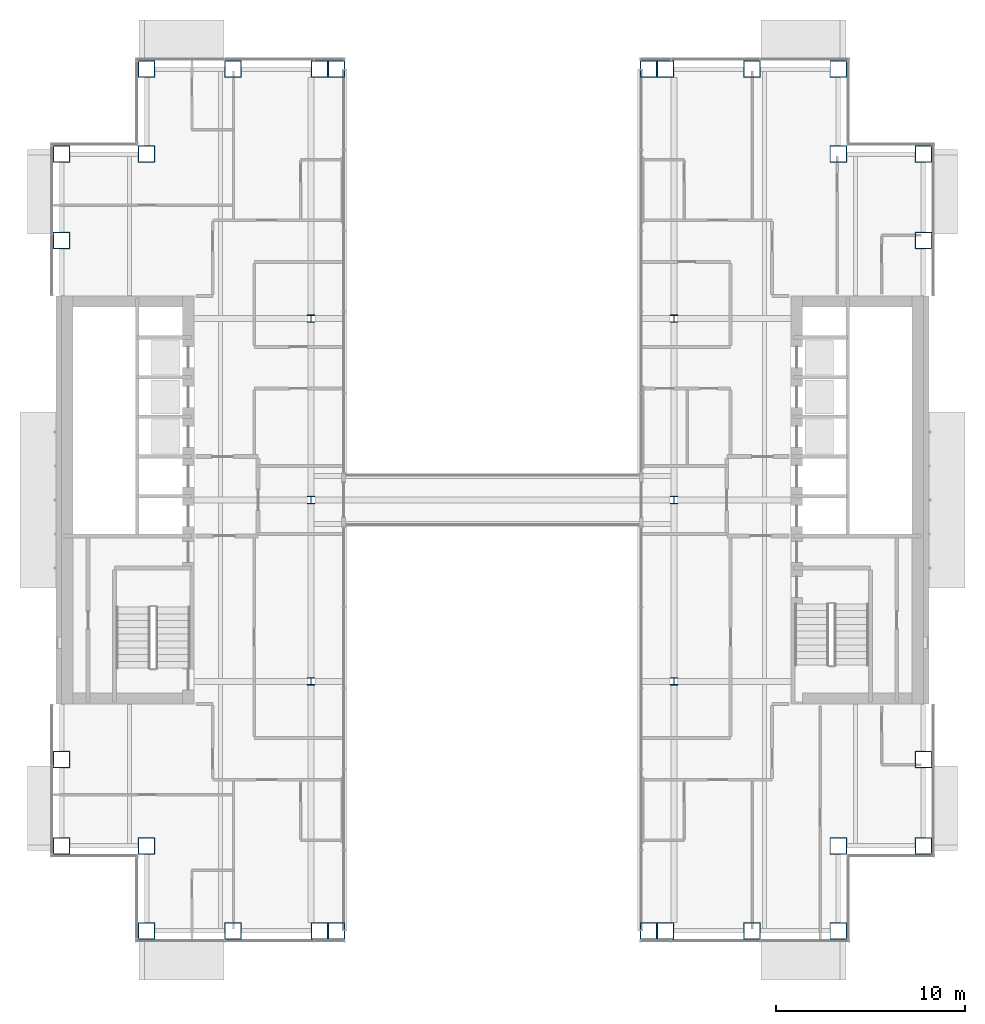
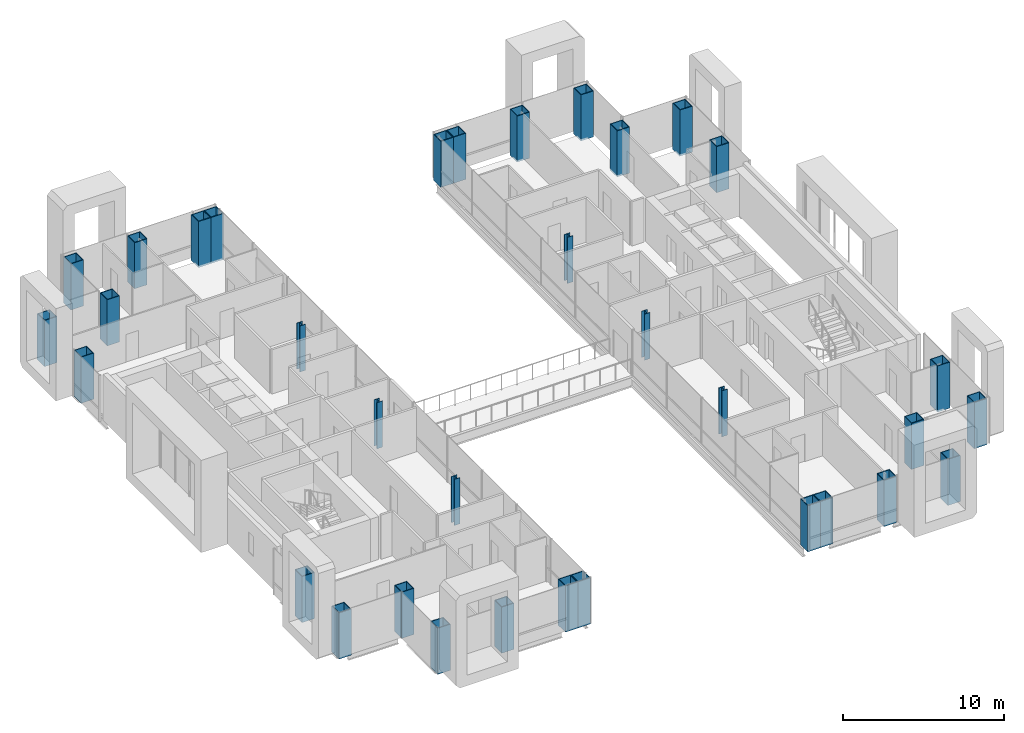
# One storey, part 1 of 20: 34 columns.
"""IFC4 building model written with IfcOpenShell, lengths in metres."""

from ifc_helpers import new_model, si_unit, direction, frame, origin, origin_2d, place, context, subcontext, project, spatial, hollow_rectangle, i_section, extrude, material, material_profile, profile_set, type_object, element, save


model = new_model("IFC4")

# Units and contexts
model_context = context("Model", 3, precision=1e-05, world=origin(), true_north=direction((0.0, 1.0)))
body_context = subcontext(model_context, "Body", "Model", "MODEL_VIEW")
ifc_project = project(units=[si_unit("LENGTHUNIT", "METRE"), si_unit("AREAUNIT", "SQUARE_METRE"), si_unit("VOLUMEUNIT", "CUBIC_METRE"), si_unit("PLANEANGLEUNIT", "RADIAN"), si_unit("MASSUNIT", "GRAM", prefix="KILO")], contexts=[model_context])

# Site, building, storey
site_placement = place(None, origin())
site = spatial("IfcSite", under=ifc_project, at=site_placement, CompositionType="ELEMENT")
building_placement = place(site_placement, origin())
building = spatial("IfcBuilding", under=site, at=building_placement, Name="Cobrizo Arcos Hotel Tower", CompositionType="ELEMENT")
storey_placement = place(building_placement, frame((0.0, 0.0, 124.0)))
storey = spatial("IfcBuildingStorey", under=building, at=storey_placement, Name="L31", CompositionType="ELEMENT", Elevation=124.0)

# Columns
ifc_material_1 = material(Name="Steel ASTM A572 Grade 50", Category="steel")
ifc_material_profile_1 = material_profile(ifc_material_1, hollow_rectangle(XDim=0.89990234375, YDim=0.89990234375, WallThickness=0.050048828125, at=origin_2d()), Name="BOX 900X900X50")
ifc_profile_set_1 = profile_set([ifc_material_profile_1], Name="Steel ASTM A572 Grade 50")
column_type_1 = type_object("IfcColumnType", Name="BOX 900X900X50 column", PredefinedType="COLUMN", material=ifc_profile_set_1)
for number, where, z_axis, x_axis, name in (
    (1, (-18.300048828125, 22.800048828125, -0.14990234375), (0.0, 0.0, 1.0), (1.0, 0.0, 0.0), "Perimeter column C6, L31, no. 00"),
    (2, (-18.300048828125, -22.800048828125, -0.14990234375), (0.0, 0.0, 1.0), (1.0, 0.0, 0.0), "Perimeter column C6, L31, no. 01"),
    (3, (-13.72509765625, 22.800048828125, -0.14990234375), (0.0, 0.0, 1.0), (1.0, 0.0, 0.0), "Perimeter column C6, L31, no. 02"),
    (4, (-13.72509765625, -22.800048828125, -0.14990234375), (0.0, 0.0, 1.0), (1.0, 0.0, 0.0), "Perimeter column C6, L31, no. 03"),
    (5, (-9.14990234375, 22.800048828125, -0.14990234375), (0.0, 0.0, 1.0), (1.0, 0.0, 0.0), "Perimeter column C6, L31, no. 04"),
    (6, (-9.14990234375, -22.800048828125, -0.14990234375), (0.0, 0.0, 1.0), (1.0, 0.0, 0.0), "Perimeter column C6, L31, no. 05"),
    (7, (9.14990234375, 22.800048828125, -0.14990234375), (0.0, 0.0, 1.0), (1.0, 0.0, 0.0), "Perimeter column C6, L31, no. 06"),
    (8, (9.14990234375, -22.800048828125, -0.14990234375), (0.0, 0.0, 1.0), (1.0, 0.0, 0.0), "Perimeter column C6, L31, no. 07"),
    (9, (13.72509765625, 22.800048828125, -0.14990234375), (0.0, 0.0, 1.0), (1.0, 0.0, 0.0), "Perimeter column C6, L31, no. 08"),
    (10, (13.72509765625, -22.800048828125, -0.14990234375), (0.0, 0.0, 1.0), (1.0, 0.0, 0.0), "Perimeter column C6, L31, no. 09"),
    (11, (18.300048828125, 22.800048828125, -0.14990234375), (0.0, 0.0, 1.0), (1.0, 0.0, 0.0), "Perimeter column C6, L31, no. 10"),
    (12, (18.300048828125, -22.800048828125, -0.14990234375), (0.0, 0.0, 1.0), (1.0, 0.0, 0.0), "Perimeter column C6, L31, no. 11"),
    (13, (22.800048828125, -18.300048828125, -0.14990234375), (0.0, 0.0, 1.0), (1.0, 0.0, 0.0), "Perimeter column C6, L31, no. 12"),
    (14, (-22.800048828125, -18.300048828125, -0.14990234375), (0.0, 0.0, 1.0), (1.0, 0.0, 0.0), "Perimeter column C6, L31, no. 13"),
    (15, (22.800048828125, -13.72509765625, -0.14990234375), (0.0, 0.0, 1.0), (1.0, 0.0, 0.0), "Perimeter column C6, L31, no. 14"),
    (16, (-22.800048828125, -13.72509765625, -0.14990234375), (0.0, 0.0, 1.0), (1.0, 0.0, 0.0), "Perimeter column C6, L31, no. 15"),
    (17, (22.800048828125, 13.72509765625, -0.14990234375), (0.0, 0.0, 1.0), (1.0, 0.0, 0.0), "Perimeter column C6, L31, no. 16"),
    (18, (-22.800048828125, 13.72509765625, -0.14990234375), (0.0, 0.0, 1.0), (1.0, 0.0, 0.0), "Perimeter column C6, L31, no. 17"),
    (19, (22.800048828125, 18.300048828125, -0.14990234375), (0.0, 0.0, 1.0), (1.0, 0.0, 0.0), "Perimeter column C6, L31, no. 18"),
    (20, (-22.800048828125, 18.300048828125, -0.14990234375), (0.0, 0.0, 1.0), (1.0, 0.0, 0.0), "Perimeter column C6, L31, no. 19"),
    (21, (-18.300048828125, -18.300048828125, -0.14990234375), (0.0, 0.0, 1.0), (1.0, 0.0, 0.0), "Perimeter column C6, L31, no. 20"),
    (22, (-18.300048828125, 18.300048828125, -0.14990234375), (0.0, 0.0, 1.0), (1.0, 0.0, 0.0), "Perimeter column C6, L31, no. 21"),
    (23, (18.300048828125, -18.300048828125, -0.14990234375), (0.0, 0.0, 1.0), (1.0, 0.0, 0.0), "Perimeter column C6, L31, no. 22"),
    (24, (18.300048828125, 18.300048828125, -0.14990234375), (0.0, 0.0, 1.0), (1.0, 0.0, 0.0), "Perimeter column C6, L31, no. 23"),
    (25, (-8.25, 22.800048828125, -0.14990234375), (0.0, 0.0, 1.0), (1.0, 0.0, 0.0), "Perimeter column C6, L31, no. 24"),
    (26, (-8.25, -22.800048828125, -0.14990234375), (0.0, 0.0, 1.0), (1.0, 0.0, 0.0), "Perimeter column C6, L31, no. 25"),
    (27, (8.25, 22.800048828125, -0.14990234375), (0.0, 0.0, 1.0), (1.0, 0.0, 0.0), "Perimeter column C6, L31, no. 26"),
    (28, (8.25, -22.800048828125, -0.14990234375), (0.0, 0.0, 1.0), (1.0, 0.0, 0.0), "Perimeter column C6, L31, no. 27"),
):
    element("IfcColumn", number, at=place(storey_placement, frame(where, z_axis=z_axis, x_axis=x_axis)), inside=storey, type_object=column_type_1, Name=name, PredefinedType="COLUMN", context=body_context, shape_type="SweptSolid", body=[
        extrude(hollow_rectangle(XDim=0.89990234375, YDim=0.89990234375, WallThickness=0.050048828125, at=origin_2d()), origin(), (0.0, 0.0, 1.0), 3.5),
    ])
ifc_material_2 = material(Name="Steel ASTM A992 Grade 50", Category="steel")
ifc_material_profile_2 = material_profile(ifc_material_2, i_section(OverallWidth=0.398681640625, OverallDepth=0.393798828125, WebThickness=0.022705078125, FlangeThickness=0.03662109375, at=origin_2d()), Name="W14X193")
ifc_profile_set_2 = profile_set([ifc_material_profile_2], Name="Steel ASTM A992 Grade 50")
column_type_2 = type_object("IfcColumnType", Name="W14X193 interior column", PredefinedType="COLUMN", material=ifc_profile_set_2)
for number, where, z_axis, x_axis, name in (
    (29, (-9.60009765625, -9.60009765625, -0.14990234375), (0.0, 0.0, 1.0), (1.0, 0.0, 0.0), "Interior column C7, L31, no. 00"),
    (30, (-9.60009765625, 0.0, -0.14990234375), (0.0, 0.0, 1.0), (1.0, 0.0, 0.0), "Interior column C7, L31, no. 01"),
    (31, (-9.60009765625, 9.60009765625, -0.14990234375), (0.0, 0.0, 1.0), (1.0, 0.0, 0.0), "Interior column C7, L31, no. 02"),
    (32, (9.60009765625, -9.60009765625, -0.14990234375), (0.0, 0.0, 1.0), (1.0, 0.0, 0.0), "Interior column C7, L31, no. 03"),
    (33, (9.60009765625, 0.0, -0.14990234375), (0.0, 0.0, 1.0), (1.0, 0.0, 0.0), "Interior column C7, L31, no. 04"),
    (34, (9.60009765625, 9.60009765625, -0.14990234375), (0.0, 0.0, 1.0), (1.0, 0.0, 0.0), "Interior column C7, L31, no. 05"),
):
    element("IfcColumn", number, at=place(storey_placement, frame(where, z_axis=z_axis, x_axis=x_axis)), inside=storey, type_object=column_type_2, Name=name, PredefinedType="COLUMN", context=body_context, shape_type="SweptSolid", body=[
        extrude(i_section(OverallWidth=0.398681640625, OverallDepth=0.393798828125, WebThickness=0.022705078125, FlangeThickness=0.03662109375, at=origin_2d()), origin(), (0.0, 0.0, 1.0), 3.5),
    ])

save(model, "model.ifc")
